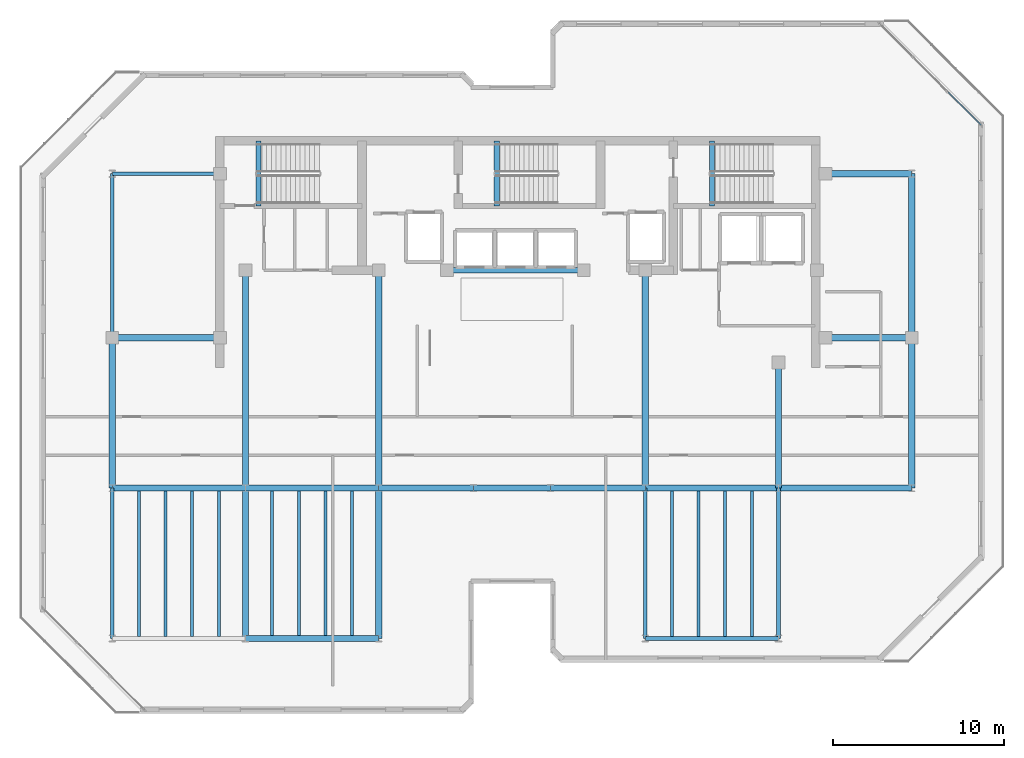
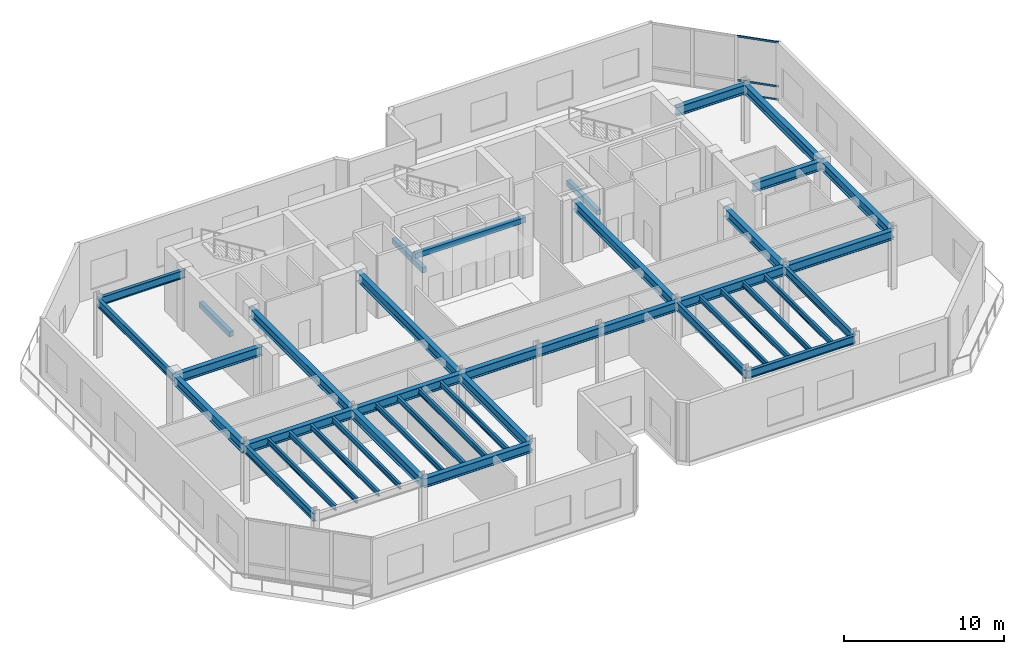
# One storey, part 3 of 12: 42 beams, 3 members, 1 element without a shape of its own.
"""IFC4 building model written with IfcOpenShell, lengths in metres."""

from ifc_helpers import new_model, si_unit, direction, frame, origin, origin_2d, place, context, subcontext, project, spatial, rectangle, hollow_rectangle, i_section, extrude, material, layer, layer_set, material_profile, profile_set, type_object, element, aggregate, save


model = new_model("IFC4")

# Units and contexts
model_context = context("Model", 3, precision=1e-05, world=origin(), true_north=direction((0.0, 1.0)))
body_context = subcontext(model_context, "Body", "Model", "MODEL_VIEW")
ifc_project = project(units=[si_unit("LENGTHUNIT", "METRE"), si_unit("AREAUNIT", "SQUARE_METRE"), si_unit("VOLUMEUNIT", "CUBIC_METRE"), si_unit("PLANEANGLEUNIT", "RADIAN"), si_unit("MASSUNIT", "GRAM", prefix="KILO")], contexts=[model_context])

# Site, building, storey
site_placement = place(None, origin())
site = spatial("IfcSite", under=ifc_project, at=site_placement, CompositionType="ELEMENT")
building_placement = place(site_placement, origin())
building = spatial("IfcBuilding", under=site, at=building_placement, Name="Kestravale Grand Hotel", CompositionType="ELEMENT")
storey_placement = place(building_placement, frame((0.0, 0.0, 306.60009765625)))
storey = spatial("IfcBuildingStorey", under=building, at=storey_placement, Name="L76", CompositionType="ELEMENT", Elevation=306.60009765625)

# Beams
ifc_material_1 = material(Name="Steel ASTM A992 Grade 50", Category="steel")
ifc_material_profile_1 = material_profile(ifc_material_1, i_section(OverallWidth=0.177978515625, OverallDepth=0.404052734375, WebThickness=0.007568359375, FlangeThickness=0.010986328125, FilletRadius=0.01416015625, at=origin_2d()))
ifc_profile_set_1 = profile_set([ifc_material_profile_1], Name="Steel ASTM A992 Grade 50")
beam_type_1 = type_object("IfcBeamType", Name="B-FLR-JST16", PredefinedType="JOIST", material=ifc_profile_set_1)
for number, where, z_axis, x_axis, name in (
    (1, (17.159912109375, 11.314453125, 4.247802734375), (0.0, 1.0, 0.0), (-1.0, 0.0, 0.0), "L76 floor joist 3-4/C-D #1"),
    (2, (18.719970703125, 11.314453125, 4.247802734375), (0.0, 1.0, 0.0), (-1.0, 0.0, 0.0), "L76 floor joist 3-4/C-D #2"),
    (3, (20.280029296875, 11.314453125, 4.247802734375), (0.0, 1.0, 0.0), (-1.0, 0.0, 0.0), "L76 floor joist 3-4/C-D #3"),
    (4, (21.840087890625, 11.314453125, 4.247802734375), (0.0, 1.0, 0.0), (-1.0, 0.0, 0.0), "L76 floor joist 3-4/C-D #4"),
):
    element("IfcBeam", number, at=place(storey_placement, frame(where, z_axis=z_axis, x_axis=x_axis)), inside=storey, type_object=beam_type_1, Name=name, PredefinedType="JOIST", context=body_context, shape_type="SweptSolid", body=[
        extrude(i_section(OverallWidth=0.177978515625, OverallDepth=0.404052734375, WebThickness=0.007568359375, FlangeThickness=0.010986328125, FilletRadius=0.01416015625, at=origin_2d()), origin(), (0.0, 0.0, 1.0), 8.507568359375),
    ])
for number, where, z_axis, x_axis, name in (
    (5, (24.9599609375, 11.3779296875, 4.247802734375), (0.0, 1.0, 0.0), (-1.0, 0.0, 0.0), "L76 floor joist 4-5/C-D #1"),
    (6, (26.52001953125, 11.3779296875, 4.247802734375), (0.0, 1.0, 0.0), (-1.0, 0.0, 0.0), "L76 floor joist 4-5/C-D #2"),
    (7, (28.080078125, 11.3779296875, 4.247802734375), (0.0, 1.0, 0.0), (-1.0, 0.0, 0.0), "L76 floor joist 4-5/C-D #3"),
    (8, (29.639892578125, 11.3779296875, 4.247802734375), (0.0, 1.0, 0.0), (-1.0, 0.0, 0.0), "L76 floor joist 4-5/C-D #4"),
):
    element("IfcBeam", number, at=place(storey_placement, frame(where, z_axis=z_axis, x_axis=x_axis)), inside=storey, type_object=beam_type_1, Name=name, PredefinedType="JOIST", context=body_context, shape_type="SweptSolid", body=[
        extrude(i_section(OverallWidth=0.177978515625, OverallDepth=0.404052734375, WebThickness=0.007568359375, FlangeThickness=0.010986328125, FilletRadius=0.01416015625, at=origin_2d()), origin(), (0.0, 0.0, 1.0), 8.444091796875),
    ])
for number, where, z_axis, x_axis, name in (
    (9, (48.360107421875, 11.314453125, 4.247802734375), (0.0, 1.0, 0.0), (-1.0, 0.0, 0.0), "L76 floor joist 8-9/C-D #1"),
    (10, (49.919921875, 11.314453125, 4.247802734375), (0.0, 1.0, 0.0), (-1.0, 0.0, 0.0), "L76 floor joist 8-9/C-D #2"),
    (11, (51.47998046875, 11.314453125, 4.247802734375), (0.0, 1.0, 0.0), (-1.0, 0.0, 0.0), "L76 floor joist 8-9/C-D #3"),
    (12, (53.0400390625, 11.314453125, 4.247802734375), (0.0, 1.0, 0.0), (-1.0, 0.0, 0.0), "L76 floor joist 8-9/C-D #4"),
):
    element("IfcBeam", number, at=place(storey_placement, frame(where, z_axis=z_axis, x_axis=x_axis)), inside=storey, type_object=beam_type_1, Name=name, PredefinedType="JOIST", context=body_context, shape_type="SweptSolid", body=[
        extrude(i_section(OverallWidth=0.177978515625, OverallDepth=0.404052734375, WebThickness=0.007568359375, FlangeThickness=0.010986328125, FilletRadius=0.01416015625, at=origin_2d()), origin(), (0.0, 0.0, 1.0), 8.507568359375),
    ])
ifc_material_2 = material(Name="Concrete f'c 45 MPa", Category="concrete")
ifc_material_profile_2 = material_profile(ifc_material_2, rectangle(XDim=0.300048828125, YDim=0.39990234375, at=origin_2d()))
ifc_profile_set_2 = profile_set([ifc_material_profile_2], Name="Concrete f'c 45 MPa")
beam_type_2 = type_object("IfcBeamType", Name="B-FLR-LNT400", PredefinedType="LINTEL", material=ifc_profile_set_2)
beam_1_placement = place(storey_placement, frame((35.199951171875, 32.75, 4.25), z_axis=(1.0, 0.0, 0.0), x_axis=(0.0, 1.0, 0.0)))
element("IfcBeam", 13, at=beam_1_placement, inside=storey, type_object=beam_type_2, Name="L76 core portal header lintel", PredefinedType="LINTEL", context=body_context, shape_type="SweptSolid", body=[
    extrude(rectangle(XDim=0.300048828125, YDim=0.39990234375, at=origin_2d()), origin(), (0.0, 0.0, 1.0), 8.0),
])
for number, where, z_axis, x_axis, name in (
    (14, (24.159912109375, 36.52001953125, -0.2001953125), (0.0, 1.0, 0.0), (-1.0, 0.0, 0.0), "L76 ST1 flight bottom header beam"),
    (15, (38.110107421875, 36.52001953125, -0.2001953125), (0.0, 1.0, 0.0), (-1.0, 0.0, 0.0), "L76 ST2 flight bottom header beam"),
    (16, (50.7099609375, 36.52001953125, -0.2001953125), (0.0, 1.0, 0.0), (-1.0, 0.0, 0.0), "L76 ST3 flight bottom header beam"),
):
    element("IfcBeam", number, at=place(storey_placement, frame(where, z_axis=z_axis, x_axis=x_axis)), inside=storey, type_object=beam_type_2, Name=name, PredefinedType="LINTEL", context=body_context, shape_type="SweptSolid", body=[
        extrude(rectangle(XDim=0.300048828125, YDim=0.39990234375, at=origin_2d()), origin(), (0.0, 0.0, 1.0), 3.800048828125),
    ])
ifc_material_3 = material(Name="Steel ASTM A992 Grade 50", Category="steel")
ifc_material_profile_3 = material_profile(ifc_material_3, i_section(OverallWidth=0.22900390625, OverallDepth=0.612060546875, WebThickness=0.011962890625, FlangeThickness=0.01953125, FilletRadius=0.019287109375, at=origin_2d()))
ifc_profile_set_3 = profile_set([ifc_material_profile_3], Name="Steel ASTM A992 Grade 50")
beam_type_3 = type_object("IfcBeamType", Name="B-FLR-W24B", PredefinedType="SPANDREL", material=ifc_profile_set_3)
beam_2_placement = place(storey_placement, frame((46.800048828125, 11.199951171875, 4.143798828125), z_axis=(1.0, 0.0, 0.0), x_axis=(0.0, 1.0, 0.0)))
element("IfcBeam", 17, at=beam_2_placement, inside=storey, type_object=beam_type_3, Name="L76 spandrel C:8-9", PredefinedType="SPANDREL", context=body_context, shape_type="SweptSolid", body=[
    extrude(i_section(OverallWidth=0.22900390625, OverallDepth=0.612060546875, WebThickness=0.011962890625, FlangeThickness=0.01953125, FilletRadius=0.019287109375, at=origin_2d()), origin(), (0.0, 0.0, 1.0), 7.800048828125),
])
beam_3_placement = place(storey_placement, frame((15.60009765625, 38.39990234375, 4.143798828125), z_axis=(1.0, 0.0, 0.0), x_axis=(0.0, 1.0, 0.0)))
element("IfcBeam", 18, at=beam_3_placement, inside=storey, type_object=beam_type_3, Name="L76 spandrel F:3-CW", PredefinedType="SPANDREL", context=body_context, shape_type="SweptSolid", body=[
    extrude(i_section(OverallWidth=0.22900390625, OverallDepth=0.612060546875, WebThickness=0.011962890625, FlangeThickness=0.01953125, FilletRadius=0.019287109375, at=origin_2d()), origin(), (0.0, 0.0, 1.0), 6.2998046875),
])
beam_4_placement = place(storey_placement, frame((15.60009765625, 11.199951171875, 4.143798828125), z_axis=(0.0, 1.0, 0.0), x_axis=(-1.0, 0.0, 0.0)))
element("IfcBeam", 19, at=beam_4_placement, inside=storey, type_object=beam_type_3, Name="L76 spandrel 3:C-D", PredefinedType="SPANDREL", context=body_context, shape_type="SweptSolid", body=[
    extrude(i_section(OverallWidth=0.22900390625, OverallDepth=0.612060546875, WebThickness=0.011962890625, FlangeThickness=0.01953125, FilletRadius=0.019287109375, at=origin_2d()), origin(), (0.0, 0.0, 1.0), 8.800048828125),
])
beam_5_placement = place(storey_placement, frame((15.60009765625, 28.800048828125, 4.143798828125), z_axis=(0.0, 1.0, 0.0), x_axis=(-1.0, 0.0, 0.0)))
element("IfcBeam", 20, at=beam_5_placement, inside=storey, type_object=beam_type_3, Name="L76 spandrel 3:E-F", PredefinedType="SPANDREL", context=body_context, shape_type="SweptSolid", body=[
    extrude(i_section(OverallWidth=0.22900390625, OverallDepth=0.612060546875, WebThickness=0.011962890625, FlangeThickness=0.01953125, FilletRadius=0.019287109375, at=origin_2d()), origin(), (0.0, 0.0, 1.0), 9.599853515625),
])
for number, where, z_axis, x_axis, name in (
    (21, (46.800048828125, 11.199951171875, 4.143798828125), (0.0, 1.0, 0.0), (-1.0, 0.0, 0.0), "L76 spandrel 8:C-D"),
    (22, (54.60009765625, 11.199951171875, 4.143798828125), (0.0, 1.0, 0.0), (-1.0, 0.0, 0.0), "L76 spandrel 9:C-D"),
):
    element("IfcBeam", number, at=place(storey_placement, frame(where, z_axis=z_axis, x_axis=x_axis)), inside=storey, type_object=beam_type_3, Name=name, PredefinedType="SPANDREL", context=body_context, shape_type="SweptSolid", body=[
        extrude(i_section(OverallWidth=0.22900390625, OverallDepth=0.612060546875, WebThickness=0.011962890625, FlangeThickness=0.01953125, FilletRadius=0.019287109375, at=origin_2d()), origin(), (0.0, 0.0, 1.0), 8.800048828125),
    ])
ifc_material_4 = material(Name="Steel ASTM A992 Grade 50", Category="steel")
ifc_material_profile_4 = material_profile(ifc_material_4, i_section(OverallWidth=0.35595703125, OverallDepth=0.696044921875, WebThickness=0.015380859375, FlangeThickness=0.02490234375, FilletRadius=0.021240234375, at=origin_2d()))
ifc_profile_set_4 = profile_set([ifc_material_profile_4], Name="Steel ASTM A992 Grade 50")
beam_type_4 = type_object("IfcBeamType", Name="B-GRD-W27", PredefinedType="BEAM", material=ifc_profile_set_4)
beam_6_placement = place(storey_placement, frame((23.39990234375, 11.199951171875, 4.101806640625), z_axis=(1.0, 0.0, 0.0), x_axis=(0.0, 1.0, 0.0)))
element("IfcBeam", 23, at=beam_6_placement, inside=storey, type_object=beam_type_4, Name="L76 girder C:4-5", PredefinedType="BEAM", context=body_context, shape_type="SweptSolid", body=[
    extrude(i_section(OverallWidth=0.35595703125, OverallDepth=0.696044921875, WebThickness=0.015380859375, FlangeThickness=0.02490234375, FilletRadius=0.021240234375, at=origin_2d()), origin(), (0.0, 0.0, 1.0), 7.800048828125),
])
beam_7_placement = place(storey_placement, frame((15.60009765625, 20.0, 4.101806640625), z_axis=(1.0, 0.0, 0.0), x_axis=(0.0, 1.0, 0.0)))
element("IfcBeam", 24, at=beam_7_placement, inside=storey, type_object=beam_type_4, Name="L76 girder D:3-4", PredefinedType="BEAM", context=body_context, shape_type="SweptSolid", body=[
    extrude(i_section(OverallWidth=0.35595703125, OverallDepth=0.696044921875, WebThickness=0.015380859375, FlangeThickness=0.02490234375, FilletRadius=0.021240234375, at=origin_2d()), origin(), (0.0, 0.0, 1.0), 7.7998046875),
])
beam_8_placement = place(storey_placement, frame((23.39990234375, 20.0, 4.101806640625), z_axis=(1.0, 0.0, 0.0), x_axis=(0.0, 1.0, 0.0)))
element("IfcBeam", 25, at=beam_8_placement, inside=storey, type_object=beam_type_4, Name="L76 girder D:4-5", PredefinedType="BEAM", context=body_context, shape_type="SweptSolid", body=[
    extrude(i_section(OverallWidth=0.35595703125, OverallDepth=0.696044921875, WebThickness=0.015380859375, FlangeThickness=0.02490234375, FilletRadius=0.021240234375, at=origin_2d()), origin(), (0.0, 0.0, 1.0), 7.800048828125),
])
beam_9_placement = place(storey_placement, frame((31.199951171875, 20.0, 4.101806640625), z_axis=(1.0, 0.0, 0.0), x_axis=(0.0, 1.0, 0.0)))
element("IfcBeam", 26, at=beam_9_placement, inside=storey, type_object=beam_type_4, Name="L76 girder D:5-6", PredefinedType="BEAM", context=body_context, shape_type="SweptSolid", body=[
    extrude(i_section(OverallWidth=0.35595703125, OverallDepth=0.696044921875, WebThickness=0.015380859375, FlangeThickness=0.02490234375, FilletRadius=0.021240234375, at=origin_2d()), origin(), (0.0, 0.0, 1.0), 5.550048828125),
])
beam_10_placement = place(storey_placement, frame((36.75, 20.0, 4.101806640625), z_axis=(1.0, 0.0, 0.0), x_axis=(0.0, 1.0, 0.0)))
element("IfcBeam", 27, at=beam_10_placement, inside=storey, type_object=beam_type_4, Name="L76 girder D:6-7", PredefinedType="BEAM", context=body_context, shape_type="SweptSolid", body=[
    extrude(i_section(OverallWidth=0.35595703125, OverallDepth=0.696044921875, WebThickness=0.015380859375, FlangeThickness=0.02490234375, FilletRadius=0.021240234375, at=origin_2d()), origin(), (0.0, 0.0, 1.0), 4.5),
])
beam_11_placement = place(storey_placement, frame((41.25, 20.0, 4.101806640625), z_axis=(1.0, 0.0, 0.0), x_axis=(0.0, 1.0, 0.0)))
element("IfcBeam", 28, at=beam_11_placement, inside=storey, type_object=beam_type_4, Name="L76 girder D:7-8", PredefinedType="BEAM", context=body_context, shape_type="SweptSolid", body=[
    extrude(i_section(OverallWidth=0.35595703125, OverallDepth=0.696044921875, WebThickness=0.015380859375, FlangeThickness=0.02490234375, FilletRadius=0.021240234375, at=origin_2d()), origin(), (0.0, 0.0, 1.0), 5.550048828125),
])
beam_12_placement = place(storey_placement, frame((46.800048828125, 20.0, 4.101806640625), z_axis=(1.0, 0.0, 0.0), x_axis=(0.0, 1.0, 0.0)))
element("IfcBeam", 29, at=beam_12_placement, inside=storey, type_object=beam_type_4, Name="L76 girder D:8-9", PredefinedType="BEAM", context=body_context, shape_type="SweptSolid", body=[
    extrude(i_section(OverallWidth=0.35595703125, OverallDepth=0.696044921875, WebThickness=0.015380859375, FlangeThickness=0.02490234375, FilletRadius=0.021240234375, at=origin_2d()), origin(), (0.0, 0.0, 1.0), 7.800048828125),
])
beam_13_placement = place(storey_placement, frame((54.60009765625, 20.0, 4.101806640625), z_axis=(1.0, 0.0, 0.0), x_axis=(0.0, 1.0, 0.0)))
element("IfcBeam", 30, at=beam_13_placement, inside=storey, type_object=beam_type_4, Name="L76 girder D:9-10", PredefinedType="BEAM", context=body_context, shape_type="SweptSolid", body=[
    extrude(i_section(OverallWidth=0.35595703125, OverallDepth=0.696044921875, WebThickness=0.015380859375, FlangeThickness=0.02490234375, FilletRadius=0.021240234375, at=origin_2d()), origin(), (0.0, 0.0, 1.0), 7.7998046875),
])
beam_14_placement = place(storey_placement, frame((15.60009765625, 28.800048828125, 4.101806640625), z_axis=(1.0, 0.0, 0.0), x_axis=(0.0, 1.0, 0.0)))
element("IfcBeam", 31, at=beam_14_placement, inside=storey, type_object=beam_type_4, Name="L76 girder E:3-CW", PredefinedType="BEAM", context=body_context, shape_type="SweptSolid", body=[
    extrude(i_section(OverallWidth=0.35595703125, OverallDepth=0.696044921875, WebThickness=0.015380859375, FlangeThickness=0.02490234375, FilletRadius=0.021240234375, at=origin_2d()), origin(), (0.0, 0.0, 1.0), 6.2998046875),
])
for number, where, z_axis, x_axis, name in (
    (32, (57.35009765625, 28.800048828125, 4.101806640625), (1.0, 0.0, 0.0), (0.0, 1.0, 0.0), "L76 girder E:CE-10"),
    (33, (57.35009765625, 38.39990234375, 4.101806640625), (1.0, 0.0, 0.0), (0.0, 1.0, 0.0), "L76 girder F:CE-10"),
):
    element("IfcBeam", number, at=place(storey_placement, frame(where, z_axis=z_axis, x_axis=x_axis)), inside=storey, type_object=beam_type_4, Name=name, PredefinedType="BEAM", context=body_context, shape_type="SweptSolid", body=[
        extrude(i_section(OverallWidth=0.35595703125, OverallDepth=0.696044921875, WebThickness=0.015380859375, FlangeThickness=0.02490234375, FilletRadius=0.021240234375, at=origin_2d()), origin(), (0.0, 0.0, 1.0), 5.0498046875),
    ])
for number, where, z_axis, x_axis, name in (
    (34, (15.60009765625, 20.0, 4.101806640625), (0.0, 1.0, 0.0), (-1.0, 0.0, 0.0), "L76 girder 3:D-E"),
    (35, (23.39990234375, 11.199951171875, 4.101806640625), (0.0, 1.0, 0.0), (-1.0, 0.0, 0.0), "L76 girder 4:C-D"),
):
    element("IfcBeam", number, at=place(storey_placement, frame(where, z_axis=z_axis, x_axis=x_axis)), inside=storey, type_object=beam_type_4, Name=name, PredefinedType="BEAM", context=body_context, shape_type="SweptSolid", body=[
        extrude(i_section(OverallWidth=0.35595703125, OverallDepth=0.696044921875, WebThickness=0.015380859375, FlangeThickness=0.02490234375, FilletRadius=0.021240234375, at=origin_2d()), origin(), (0.0, 0.0, 1.0), 8.800048828125),
    ])
beam_15_placement = place(storey_placement, frame((23.39990234375, 20.0, 4.101806640625), z_axis=(0.0, 1.0, 0.0), x_axis=(-1.0, 0.0, 0.0)))
element("IfcBeam", 36, at=beam_15_placement, inside=storey, type_object=beam_type_4, Name="L76 girder 4:D-CS", PredefinedType="BEAM", context=body_context, shape_type="SweptSolid", body=[
    extrude(i_section(OverallWidth=0.35595703125, OverallDepth=0.696044921875, WebThickness=0.015380859375, FlangeThickness=0.02490234375, FilletRadius=0.021240234375, at=origin_2d()), origin(), (0.0, 0.0, 1.0), 12.75),
])
beam_16_placement = place(storey_placement, frame((31.199951171875, 11.199951171875, 4.101806640625), z_axis=(0.0, 1.0, 0.0), x_axis=(-1.0, 0.0, 0.0)))
element("IfcBeam", 37, at=beam_16_placement, inside=storey, type_object=beam_type_4, Name="L76 girder 5:C-D", PredefinedType="BEAM", context=body_context, shape_type="SweptSolid", body=[
    extrude(i_section(OverallWidth=0.35595703125, OverallDepth=0.696044921875, WebThickness=0.015380859375, FlangeThickness=0.02490234375, FilletRadius=0.021240234375, at=origin_2d()), origin(), (0.0, 0.0, 1.0), 8.800048828125),
])
for number, where, z_axis, x_axis, name in (
    (38, (31.199951171875, 20.0, 4.101806640625), (0.0, 1.0, 0.0), (-1.0, 0.0, 0.0), "L76 girder 5:D-CS"),
    (39, (46.800048828125, 20.0, 4.101806640625), (0.0, 1.0, 0.0), (-1.0, 0.0, 0.0), "L76 girder 8:D-CS"),
):
    element("IfcBeam", number, at=place(storey_placement, frame(where, z_axis=z_axis, x_axis=x_axis)), inside=storey, type_object=beam_type_4, Name=name, PredefinedType="BEAM", context=body_context, shape_type="SweptSolid", body=[
        extrude(i_section(OverallWidth=0.35595703125, OverallDepth=0.696044921875, WebThickness=0.015380859375, FlangeThickness=0.02490234375, FilletRadius=0.021240234375, at=origin_2d()), origin(), (0.0, 0.0, 1.0), 12.75),
    ])
beam_17_placement = place(storey_placement, frame((54.60009765625, 20.0, 4.101806640625), z_axis=(0.0, 1.0, 0.0), x_axis=(-1.0, 0.0, 0.0)))
element("IfcBeam", 40, at=beam_17_placement, inside=storey, type_object=beam_type_4, Name="L76 girder 9:D-CS", PredefinedType="BEAM", context=body_context, shape_type="SweptSolid", body=[
    extrude(i_section(OverallWidth=0.35595703125, OverallDepth=0.696044921875, WebThickness=0.015380859375, FlangeThickness=0.02490234375, FilletRadius=0.021240234375, at=origin_2d()), origin(), (0.0, 0.0, 1.0), 7.35009765625),
])
beam_18_placement = place(storey_placement, frame((62.39990234375, 20.0, 4.101806640625), z_axis=(0.0, 1.0, 0.0), x_axis=(-1.0, 0.0, 0.0)))
element("IfcBeam", 41, at=beam_18_placement, inside=storey, type_object=beam_type_4, Name="L76 girder 10:D-E", PredefinedType="BEAM", context=body_context, shape_type="SweptSolid", body=[
    extrude(i_section(OverallWidth=0.35595703125, OverallDepth=0.696044921875, WebThickness=0.015380859375, FlangeThickness=0.02490234375, FilletRadius=0.021240234375, at=origin_2d()), origin(), (0.0, 0.0, 1.0), 8.800048828125),
])
beam_19_placement = place(storey_placement, frame((62.39990234375, 28.800048828125, 4.101806640625), z_axis=(0.0, 1.0, 0.0), x_axis=(-1.0, 0.0, 0.0)))
element("IfcBeam", 42, at=beam_19_placement, inside=storey, type_object=beam_type_4, Name="L76 girder 10:E-F", PredefinedType="BEAM", context=body_context, shape_type="SweptSolid", body=[
    extrude(i_section(OverallWidth=0.35595703125, OverallDepth=0.696044921875, WebThickness=0.015380859375, FlangeThickness=0.02490234375, FilletRadius=0.021240234375, at=origin_2d()), origin(), (0.0, 0.0, 1.0), 9.599853515625),
])

# Curtain wall, members
ifc_material_5 = material(Name="Thermally broken champagne-bronze aluminium and low-E glazing", Category="aluminium")
ifc_layer = layer(ifc_material_5, 0.239990234375)
ifc_layer_set = layer_set([ifc_layer], Name="CW-OBS")
curtain_wall_type = type_object("IfcCurtainWallType", Name="CW-OBS", PredefinedType="NOTDEFINED", material=ifc_layer_set)
curtain_wall_placement = place(storey_placement, origin())
curtain_wall = element("IfcCurtainWall", 43, at=curtain_wall_placement, inside=storey, type_object=curtain_wall_type, Name="L76 unitised curtain wall 10", PredefinedType="NOTDEFINED")
ifc_material_6 = material(Name="Aluminium 6063-T6 anodised", Category="aluminium")
ifc_material_profile_5 = material_profile(ifc_material_6, hollow_rectangle(XDim=0.074951171875, YDim=0.139892578125, WallThickness=0.00341796875, at=origin_2d()))
ifc_profile_set_5 = profile_set([ifc_material_profile_5], Name="Aluminium 6063-T6 anodised")
member_type = type_object("IfcMemberType", Name="CW-TRN-140", PredefinedType="USERDEFINED", material=ifc_profile_set_5)
member_1_placement = place(storey_placement, frame((66.455078125, 41.246826171875, 0.037353515625), z_axis=(-0.707061806992, 0.707151752521, 0.0), x_axis=(-0.707151752521, -0.707061806992, 0.0)))
member_1 = element("IfcMember", 44, at=member_1_placement, type_object=member_type, Name="CW-OBS transom 1.1", ObjectType="TRANSOM", PredefinedType="USERDEFINED", context=body_context, shape_type="SweptSolid", body=[
    extrude(hollow_rectangle(XDim=0.074951171875, YDim=0.139892578125, WallThickness=0.00341796875, at=origin_2d()), origin(), (0.0, 0.0, 1.0), 2.71435546875),
])
member_2_placement = place(storey_placement, frame((66.455078125, 41.246826171875, 1.0498046875), z_axis=(-0.707061806992, 0.707151752521, 0.0), x_axis=(-0.707151752521, -0.707061806992, 0.0)))
member_2 = element("IfcMember", 45, at=member_2_placement, type_object=member_type, Name="CW-OBS transom 1.2", ObjectType="TRANSOM", PredefinedType="USERDEFINED", context=body_context, shape_type="SweptSolid", body=[
    extrude(hollow_rectangle(XDim=0.074951171875, YDim=0.139892578125, WallThickness=0.00341796875, at=origin_2d()), origin(), (0.0, 0.0, 1.0), 2.71435546875),
])
member_3_placement = place(storey_placement, frame((66.455078125, 41.246826171875, 4.412353515625), z_axis=(-0.707061806992, 0.707151752521, 0.0), x_axis=(-0.707151752521, -0.707061806992, 0.0)))
member_3 = element("IfcMember", 46, at=member_3_placement, type_object=member_type, Name="CW-OBS transom 1.3", ObjectType="TRANSOM", PredefinedType="USERDEFINED", context=body_context, shape_type="SweptSolid", body=[
    extrude(hollow_rectangle(XDim=0.074951171875, YDim=0.139892578125, WallThickness=0.00341796875, at=origin_2d()), origin(), (0.0, 0.0, 1.0), 2.71435546875),
])
aggregate(curtain_wall, [member_1, member_2, member_3])

save(model, "model.ifc")
